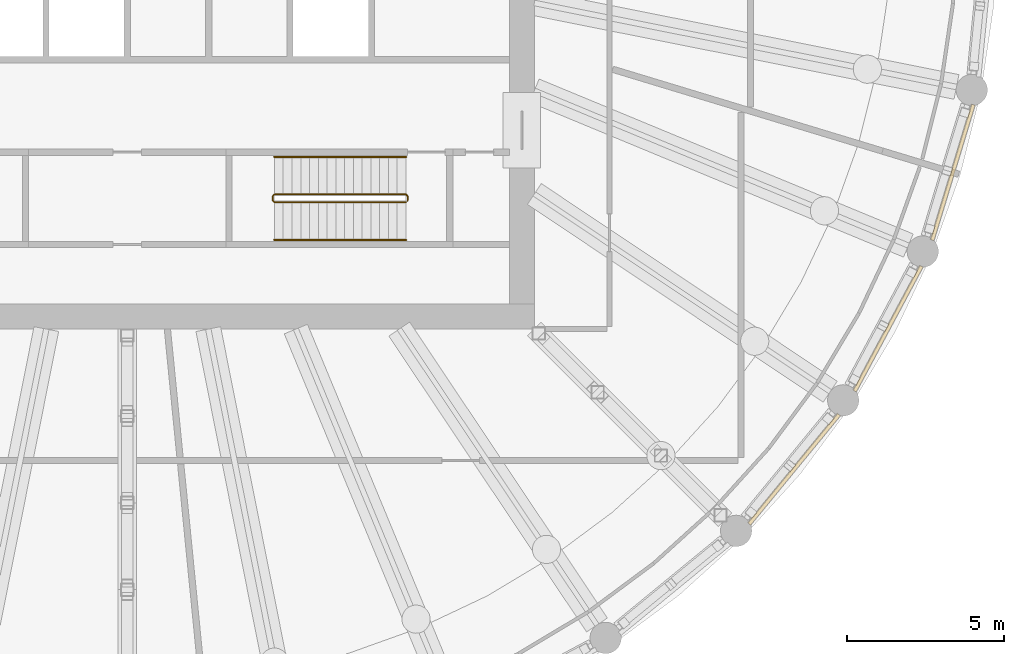
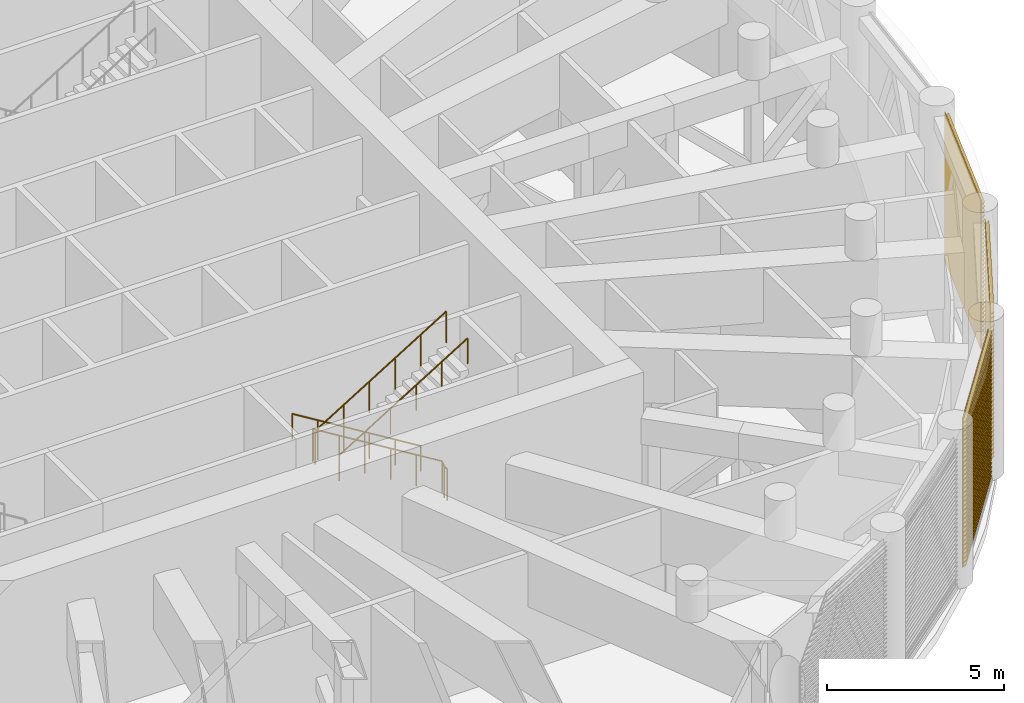
# One storey, part 20 of 24: 3 railings, 3 shading devices, 3 elements without a shape of their own.
"""IFC4 building model written with IfcOpenShell, lengths in metres."""

from ifc_helpers import new_model, si_unit, direction, frame, origin, origin_2d, place, context, subcontext, project, spatial, polyline, circle, outline, extrude, material, material_profile, profile_set, type_object, element, aggregate, save


model = new_model("IFC4")

# Units and contexts
model_context = context("Model", 3, precision=1e-05, world=origin(), true_north=direction((0.0, 1.0)))
body_context = subcontext(model_context, "Body", "Model", "MODEL_VIEW")
ifc_project = project(units=[si_unit("LENGTHUNIT", "METRE"), si_unit("AREAUNIT", "SQUARE_METRE"), si_unit("VOLUMEUNIT", "CUBIC_METRE"), si_unit("PLANEANGLEUNIT", "RADIAN"), si_unit("MASSUNIT", "GRAM", prefix="KILO")], contexts=[model_context])

# Site, building, storey
site_placement = place(None, origin())
site = spatial("IfcSite", under=ifc_project, at=site_placement, CompositionType="ELEMENT")
building_placement = place(site_placement, origin())
building = spatial("IfcBuilding", under=site, at=building_placement, Name="Corvane Civic Tower", CompositionType="ELEMENT")
storey_placement = place(building_placement, frame((0.0, 0.0, 257.5)))
storey = spatial("IfcBuildingStorey", under=building, at=storey_placement, Name="L61", CompositionType="ELEMENT", Elevation=257.5)

# Railings
ifc_material_1 = material(Name="Steel ASTM A572 Gr 50", Category="steel")
railing_type_1 = type_object("IfcRailingType", Name="ST-GUARD-1100", PredefinedType="GUARDRAIL", material=ifc_material_1)
railing_1_placement = place(storey_placement, frame((8.949951171875, -8.89990234375, 0.0)))
element("IfcRailing", 1, at=railing_1_placement, inside=storey, type_object=railing_type_1, Name="L61 ST2 stair guard 1", PredefinedType="GUARDRAIL", context=body_context, shape_type="SweptSolid", body=[
    extrude(circle(Radius=0.02392578125, at=origin_2d()), frame((0.0, 0.0, 1.076171875), z_axis=(0.0, 1.0, 0.0), x_axis=(-1.0, 0.0, 0.0)), (0.0, 0.0, 1.0), 0.14990234375),
    extrude(circle(Radius=0.02392578125, at=origin_2d()), frame((0.0, 0.14990234375, 1.076171875), z_axis=(-0.269255725606, 0.269255725606, 0.92466356501), x_axis=(-0.707106781187, -0.707106781187, 0.0)), (0.0, 0.0, 1.0), 0.185791015625),
    extrude(circle(Radius=0.02392578125, at=origin_2d()), frame((-0.050048828125, 0.199951171875, 1.248046875), z_axis=(-0.852242915053, 0.0, 0.523146264196), x_axis=(0.0, -1.0, 0.0)), (0.0, 0.0, 1.0), 4.92822265625),
    extrude(circle(Radius=0.02392578125, at=origin_2d()), frame((-4.25, 0.199951171875, 3.826171875), z_axis=(-0.707106781187, -0.707106781187, 0.0), x_axis=(0.707106781187, -0.707106781187, 0.0)), (0.0, 0.0, 1.0), 0.07080078125),
    extrude(circle(Radius=0.02392578125, at=origin_2d()), frame((-4.300048828125, 0.14990234375, 3.826171875), z_axis=(0.0, -1.0, 0.0), x_axis=(1.0, 0.0, 0.0)), (0.0, 0.0, 1.0), 0.14990234375),
    extrude(circle(Radius=0.02392578125, at=origin_2d()), frame((-4.300048828125, 0.0, 3.826171875), z_axis=(0.269255725606, -0.269255725606, 0.92466356501), x_axis=(0.707106781187, 0.707106781187, 0.0)), (0.0, 0.0, 1.0), 0.185791015625),
    extrude(circle(Radius=0.02392578125, at=origin_2d()), frame((-4.25, -0.050048828125, 3.998046875), z_axis=(0.852242915053, 0.0, 0.523146264196), x_axis=(0.0, 1.0, 0.0)), (0.0, 0.0, 1.0), 4.92822265625),
    extrude(circle(Radius=0.02099609375, at=origin_2d()), origin(), (0.0, 0.0, 1.0), 1.052001953125),
    extrude(circle(Radius=0.02099609375, at=origin_2d()), frame((0.0, 0.14990234375, 0.0)), (0.0, 0.0, 1.0), 1.052001953125),
    extrude(circle(Radius=0.02099609375, at=origin_2d()), frame((-0.050048828125, 0.199951171875, 0.171875)), (0.0, 0.0, 1.0), 1.052001953125),
    extrude(circle(Radius=0.02099609375, at=origin_2d()), frame((-0.89013671875, 0.199951171875, 0.6875)), (0.0, 0.0, 1.0), 1.052001953125),
    extrude(circle(Radius=0.02099609375, at=origin_2d()), frame((-1.72998046875, 0.199951171875, 1.203125)), (0.0, 0.0, 1.0), 1.052001953125),
    extrude(circle(Radius=0.02099609375, at=origin_2d()), frame((-2.570068359375, 0.199951171875, 1.71875)), (0.0, 0.0, 1.0), 1.052001953125),
    extrude(circle(Radius=0.02099609375, at=origin_2d()), frame((-3.409912109375, 0.199951171875, 2.234375)), (0.0, 0.0, 1.0), 1.052001953125),
    extrude(circle(Radius=0.02099609375, at=origin_2d()), frame((-4.25, 0.199951171875, 2.75)), (0.0, 0.0, 1.0), 1.052001953125),
    extrude(circle(Radius=0.02099609375, at=origin_2d()), frame((-4.300048828125, 0.14990234375, 2.75)), (0.0, 0.0, 1.0), 1.052001953125),
    extrude(circle(Radius=0.02099609375, at=origin_2d()), frame((-4.300048828125, 0.0, 2.75)), (0.0, 0.0, 1.0), 1.052001953125),
    extrude(circle(Radius=0.02099609375, at=origin_2d()), frame((-4.25, -0.050048828125, 2.921875)), (0.0, 0.0, 1.0), 1.052001953125),
    extrude(circle(Radius=0.02099609375, at=origin_2d()), frame((-3.409912109375, -0.050048828125, 3.4375)), (0.0, 0.0, 1.0), 1.052001953125),
    extrude(circle(Radius=0.02099609375, at=origin_2d()), frame((-2.570068359375, -0.050048828125, 3.953125)), (0.0, 0.0, 1.0), 1.052001953125),
    extrude(circle(Radius=0.02099609375, at=origin_2d()), frame((-1.72998046875, -0.050048828125, 4.46875)), (0.0, 0.0, 1.0), 1.052001953125),
    extrude(circle(Radius=0.02099609375, at=origin_2d()), frame((-0.89013671875, -0.050048828125, 4.984375)), (0.0, 0.0, 1.0), 1.052001953125),
    extrude(circle(Radius=0.02099609375, at=origin_2d()), frame((-0.050048828125, -0.050048828125, 5.5)), (0.0, 0.0, 1.0), 1.052001953125),
])
ifc_material_2 = material(Name="Steel ASTM A572 Gr 50", Category="steel")
railing_type_2 = type_object("IfcRailingType", Name="ST-HANDRAIL-900", PredefinedType="HANDRAIL", material=ifc_material_2)
railing_2_placement = place(storey_placement, frame((8.89990234375, -7.5, 0.171875)))
element("IfcRailing", 2, at=railing_2_placement, inside=storey, type_object=railing_type_2, Name="L61 ST2 stair handrail 1", PredefinedType="HANDRAIL", context=body_context, shape_type="SweptSolid", body=[
    extrude(circle(Radius=0.02392578125, at=origin_2d()), frame((0.0, 0.0, 0.8759765625), z_axis=(-0.852242915053, 0.0, 0.523146264196), x_axis=(0.0, -1.0, 0.0)), (0.0, 0.0, 1.0), 4.92822265625),
    extrude(circle(Radius=0.02099609375, at=origin_2d()), origin(), (0.0, 0.0, 1.0), 0.851806640625),
    extrude(circle(Radius=0.02099609375, at=origin_2d()), frame((-0.840087890625, 0.0, 0.515625)), (0.0, 0.0, 1.0), 0.851806640625),
    extrude(circle(Radius=0.02099609375, at=origin_2d()), frame((-1.679931640625, 0.0, 1.03125)), (0.0, 0.0, 1.0), 0.851806640625),
    extrude(circle(Radius=0.02099609375, at=origin_2d()), frame((-2.52001953125, 0.0, 1.546875)), (0.0, 0.0, 1.0), 0.851806640625),
    extrude(circle(Radius=0.02099609375, at=origin_2d()), frame((-3.35986328125, 0.0, 2.0625)), (0.0, 0.0, 1.0), 0.851806640625),
    extrude(circle(Radius=0.02099609375, at=origin_2d()), frame((-4.199951171875, 0.0, 2.578125)), (0.0, 0.0, 1.0), 0.851806640625),
])
railing_3_placement = place(storey_placement, frame((4.699951171875, -10.14990234375, 2.921875)))
element("IfcRailing", 3, at=railing_3_placement, inside=storey, type_object=railing_type_2, Name="L61 ST2 stair handrail 2", PredefinedType="HANDRAIL", context=body_context, shape_type="SweptSolid", body=[
    extrude(circle(Radius=0.02392578125, at=origin_2d()), frame((0.0, 0.0, 0.8759765625), z_axis=(0.852242915053, 0.0, 0.523146264196), x_axis=(0.0, 1.0, 0.0)), (0.0, 0.0, 1.0), 4.92822265625),
    extrude(circle(Radius=0.02099609375, at=origin_2d()), origin(), (0.0, 0.0, 1.0), 0.851806640625),
    extrude(circle(Radius=0.02099609375, at=origin_2d()), frame((0.840087890625, 0.0, 0.515625)), (0.0, 0.0, 1.0), 0.851806640625),
    extrude(circle(Radius=0.02099609375, at=origin_2d()), frame((1.679931640625, 0.0, 1.03125)), (0.0, 0.0, 1.0), 0.851806640625),
    extrude(circle(Radius=0.02099609375, at=origin_2d()), frame((2.52001953125, 0.0, 1.546875)), (0.0, 0.0, 1.0), 0.851806640625),
    extrude(circle(Radius=0.02099609375, at=origin_2d()), frame((3.35986328125, 0.0, 2.0625)), (0.0, 0.0, 1.0), 0.851806640625),
    extrude(circle(Radius=0.02099609375, at=origin_2d()), frame((4.199951171875, 0.0, 2.578125)), (0.0, 0.0, 1.0), 0.851806640625),
])

# Curtain wall, shading device
ifc_material_3 = material(Name="Anodised aluminium bronze", Category="aluminium")
curtain_wall_type = type_object("IfcCurtainWallType", Name="TOWER CW-LV LOUVRE SCREEN WALL", PredefinedType="NOTDEFINED", material=ifc_material_3)
curtain_wall_1_placement = place(storey_placement, origin())
curtain_wall_1 = element("IfcCurtainWall", 4, at=curtain_wall_1_placement, inside=storey, type_object=curtain_wall_type, Name="Louvre screen wall CW-LV L61 bay 10", PredefinedType="NOTDEFINED")
ifc_material_4 = material(Name="Anodised aluminium bronze", Category="aluminium")
ifc_material_profile = material_profile(ifc_material_4, outline(polyline([(-0.06005859375, -2.56494140625), (-0.0400390625, -2.56494140625), (0.06005859375, -2.492919921875), (0.06005859375, -2.472900390625), (-0.0400390625, -2.544921875), (-0.0400390625, -2.4140625), (0.06005859375, -2.342041015625), (0.06005859375, -2.322021484375), (-0.0400390625, -2.39404296875), (-0.0400390625, -2.26318359375), (0.06005859375, -2.191162109375), (0.06005859375, -2.171142578125), (-0.0400390625, -2.2431640625), (-0.0400390625, -2.1123046875), (0.06005859375, -2.040283203125), (0.06005859375, -2.0205078125), (-0.0400390625, -2.09228515625), (-0.0400390625, -1.96142578125), (0.06005859375, -1.889404296875), (0.06005859375, -1.869384765625), (-0.0400390625, -1.94140625), (-0.0400390625, -1.810546875), (0.06005859375, -1.738525390625), (0.06005859375, -1.718505859375), (-0.0400390625, -1.79052734375), (-0.0400390625, -1.65966796875), (0.06005859375, -1.587646484375), (0.06005859375, -1.567626953125), (-0.0400390625, -1.6396484375), (-0.0400390625, -1.5087890625), (0.06005859375, -1.436767578125), (0.06005859375, -1.416748046875), (-0.0400390625, -1.48876953125), (-0.0400390625, -1.35791015625), (0.06005859375, -1.285888671875), (0.06005859375, -1.265869140625), (-0.0400390625, -1.337890625), (-0.0400390625, -1.20703125), (0.06005859375, -1.135009765625), (0.06005859375, -1.114990234375), (-0.0400390625, -1.18701171875), (-0.0400390625, -1.05615234375), (0.06005859375, -0.984130859375), (0.06005859375, -0.964111328125), (-0.0400390625, -1.0361328125), (-0.0400390625, -0.9052734375), (0.06005859375, -0.833251953125), (0.06005859375, -0.813232421875), (-0.0400390625, -0.88525390625), (-0.0400390625, -0.75439453125), (0.06005859375, -0.682373046875), (0.06005859375, -0.662353515625), (-0.0400390625, -0.734375), (-0.0400390625, -0.603515625), (0.06005859375, -0.531494140625), (0.06005859375, -0.511474609375), (-0.0400390625, -0.58349609375), (-0.0400390625, -0.45263671875), (0.06005859375, -0.380615234375), (0.06005859375, -0.360595703125), (-0.0400390625, -0.4326171875), (-0.0400390625, -0.3017578125), (0.06005859375, -0.229736328125), (0.06005859375, -0.209716796875), (-0.0400390625, -0.28173828125), (-0.0400390625, -0.15087890625), (0.06005859375, -0.078857421875), (0.06005859375, -0.058837890625), (-0.0400390625, -0.130859375), (-0.0400390625, 0.0), (0.06005859375, 0.072021484375), (0.06005859375, 0.092041015625), (-0.0400390625, 0.02001953125), (-0.0400390625, 0.15087890625), (0.06005859375, 0.222900390625), (0.06005859375, 0.242919921875), (-0.0400390625, 0.1708984375), (-0.0400390625, 0.3017578125), (0.06005859375, 0.373779296875), (0.06005859375, 0.393798828125), (-0.0400390625, 0.32177734375), (-0.0400390625, 0.45263671875), (0.06005859375, 0.524658203125), (0.06005859375, 0.544677734375), (-0.0400390625, 0.47265625), (-0.0400390625, 0.603515625), (0.06005859375, 0.675537109375), (0.06005859375, 0.695556640625), (-0.0400390625, 0.62353515625), (-0.0400390625, 0.75439453125), (0.06005859375, 0.826416015625), (0.06005859375, 0.846435546875), (-0.0400390625, 0.7744140625), (-0.0400390625, 0.9052734375), (0.06005859375, 0.977294921875), (0.06005859375, 0.997314453125), (-0.0400390625, 0.92529296875), (-0.0400390625, 1.05615234375), (0.06005859375, 1.128173828125), (0.06005859375, 1.148193359375), (-0.0400390625, 1.076171875), (-0.0400390625, 1.20703125), (0.06005859375, 1.279052734375), (0.06005859375, 1.299072265625), (-0.0400390625, 1.22705078125), (-0.0400390625, 1.35791015625), (0.06005859375, 1.429931640625), (0.06005859375, 1.449951171875), (-0.0400390625, 1.3779296875), (-0.0400390625, 1.5087890625), (0.06005859375, 1.580810546875), (0.06005859375, 1.600830078125), (-0.0400390625, 1.52880859375), (-0.0400390625, 1.65966796875), (0.06005859375, 1.731689453125), (0.06005859375, 1.751708984375), (-0.0400390625, 1.6796875), (-0.0400390625, 1.810546875), (0.06005859375, 1.882568359375), (0.06005859375, 1.902587890625), (-0.0400390625, 1.83056640625), (-0.0400390625, 1.96142578125), (0.06005859375, 2.033447265625), (0.06005859375, 2.053466796875), (-0.0400390625, 1.9814453125), (-0.0400390625, 2.1123046875), (0.06005859375, 2.184326171875), (0.06005859375, 2.204345703125), (-0.0400390625, 2.13232421875), (-0.0400390625, 2.26318359375), (0.06005859375, 2.335205078125), (0.06005859375, 2.355224609375), (-0.0400390625, 2.283203125), (-0.0400390625, 2.4140625), (0.06005859375, 2.486083984375), (0.06005859375, 2.506103515625), (-0.0400390625, 2.43408203125), (-0.0400390625, 2.56494140625), (-0.06005859375, 2.56494140625), (-0.06005859375, -2.56494140625)])), Name="TOWER LOUVRE BANK 5130 BRONZE")
ifc_profile_set = profile_set([ifc_material_profile], Name="Anodised aluminium bronze")
shading_device_type = type_object("IfcShadingDeviceType", Name="TOWER LOUVRE BANK 5130 BRONZE", PredefinedType="USERDEFINED", material=ifc_profile_set)
shading_device_1_placement = place(storey_placement, frame((27.016357421875, -5.8349609375, 2.68505859375), z_axis=(-0.2902818869, -0.956941182173, 0.0), x_axis=(0.956941182173, -0.2902818869, 0.0)))
shading_device_1 = element("IfcShadingDevice", 5, at=shading_device_1_placement, type_object=shading_device_type, Name="Louvre bank L61 10.1", ObjectType="LOUVRE", PredefinedType="USERDEFINED", context=body_context, shape_type="SweptSolid", body=[
    extrude(outline(polyline([(-0.06005859375, -2.56494140625), (-0.0400390625, -2.56494140625), (0.06005859375, -2.492919921875), (0.06005859375, -2.472900390625), (-0.0400390625, -2.544921875), (-0.0400390625, -2.4140625), (0.06005859375, -2.342041015625), (0.06005859375, -2.322021484375), (-0.0400390625, -2.39404296875), (-0.0400390625, -2.26318359375), (0.06005859375, -2.191162109375), (0.06005859375, -2.171142578125), (-0.0400390625, -2.2431640625), (-0.0400390625, -2.1123046875), (0.06005859375, -2.040283203125), (0.06005859375, -2.0205078125), (-0.0400390625, -2.09228515625), (-0.0400390625, -1.96142578125), (0.06005859375, -1.889404296875), (0.06005859375, -1.869384765625), (-0.0400390625, -1.94140625), (-0.0400390625, -1.810546875), (0.06005859375, -1.738525390625), (0.06005859375, -1.718505859375), (-0.0400390625, -1.79052734375), (-0.0400390625, -1.65966796875), (0.06005859375, -1.587646484375), (0.06005859375, -1.567626953125), (-0.0400390625, -1.6396484375), (-0.0400390625, -1.5087890625), (0.06005859375, -1.436767578125), (0.06005859375, -1.416748046875), (-0.0400390625, -1.48876953125), (-0.0400390625, -1.35791015625), (0.06005859375, -1.285888671875), (0.06005859375, -1.265869140625), (-0.0400390625, -1.337890625), (-0.0400390625, -1.20703125), (0.06005859375, -1.135009765625), (0.06005859375, -1.114990234375), (-0.0400390625, -1.18701171875), (-0.0400390625, -1.05615234375), (0.06005859375, -0.984130859375), (0.06005859375, -0.964111328125), (-0.0400390625, -1.0361328125), (-0.0400390625, -0.9052734375), (0.06005859375, -0.833251953125), (0.06005859375, -0.813232421875), (-0.0400390625, -0.88525390625), (-0.0400390625, -0.75439453125), (0.06005859375, -0.682373046875), (0.06005859375, -0.662353515625), (-0.0400390625, -0.734375), (-0.0400390625, -0.603515625), (0.06005859375, -0.531494140625), (0.06005859375, -0.511474609375), (-0.0400390625, -0.58349609375), (-0.0400390625, -0.45263671875), (0.06005859375, -0.380615234375), (0.06005859375, -0.360595703125), (-0.0400390625, -0.4326171875), (-0.0400390625, -0.3017578125), (0.06005859375, -0.229736328125), (0.06005859375, -0.209716796875), (-0.0400390625, -0.28173828125), (-0.0400390625, -0.15087890625), (0.06005859375, -0.078857421875), (0.06005859375, -0.058837890625), (-0.0400390625, -0.130859375), (-0.0400390625, 0.0), (0.06005859375, 0.072021484375), (0.06005859375, 0.092041015625), (-0.0400390625, 0.02001953125), (-0.0400390625, 0.15087890625), (0.06005859375, 0.222900390625), (0.06005859375, 0.242919921875), (-0.0400390625, 0.1708984375), (-0.0400390625, 0.3017578125), (0.06005859375, 0.373779296875), (0.06005859375, 0.393798828125), (-0.0400390625, 0.32177734375), (-0.0400390625, 0.45263671875), (0.06005859375, 0.524658203125), (0.06005859375, 0.544677734375), (-0.0400390625, 0.47265625), (-0.0400390625, 0.603515625), (0.06005859375, 0.675537109375), (0.06005859375, 0.695556640625), (-0.0400390625, 0.62353515625), (-0.0400390625, 0.75439453125), (0.06005859375, 0.826416015625), (0.06005859375, 0.846435546875), (-0.0400390625, 0.7744140625), (-0.0400390625, 0.9052734375), (0.06005859375, 0.977294921875), (0.06005859375, 0.997314453125), (-0.0400390625, 0.92529296875), (-0.0400390625, 1.05615234375), (0.06005859375, 1.128173828125), (0.06005859375, 1.148193359375), (-0.0400390625, 1.076171875), (-0.0400390625, 1.20703125), (0.06005859375, 1.279052734375), (0.06005859375, 1.299072265625), (-0.0400390625, 1.22705078125), (-0.0400390625, 1.35791015625), (0.06005859375, 1.429931640625), (0.06005859375, 1.449951171875), (-0.0400390625, 1.3779296875), (-0.0400390625, 1.5087890625), (0.06005859375, 1.580810546875), (0.06005859375, 1.600830078125), (-0.0400390625, 1.52880859375), (-0.0400390625, 1.65966796875), (0.06005859375, 1.731689453125), (0.06005859375, 1.751708984375), (-0.0400390625, 1.6796875), (-0.0400390625, 1.810546875), (0.06005859375, 1.882568359375), (0.06005859375, 1.902587890625), (-0.0400390625, 1.83056640625), (-0.0400390625, 1.96142578125), (0.06005859375, 2.033447265625), (0.06005859375, 2.053466796875), (-0.0400390625, 1.9814453125), (-0.0400390625, 2.1123046875), (0.06005859375, 2.184326171875), (0.06005859375, 2.204345703125), (-0.0400390625, 2.13232421875), (-0.0400390625, 2.26318359375), (0.06005859375, 2.335205078125), (0.06005859375, 2.355224609375), (-0.0400390625, 2.283203125), (-0.0400390625, 2.4140625), (0.06005859375, 2.486083984375), (0.06005859375, 2.506103515625), (-0.0400390625, 2.43408203125), (-0.0400390625, 2.56494140625), (-0.06005859375, 2.56494140625), (-0.06005859375, -2.56494140625)])), origin(), (0.0, 0.0, 1.0), 4.517333984375),
])
aggregate(curtain_wall_1, [shading_device_1])

curtain_wall_2_placement = place(storey_placement, origin())
curtain_wall_2 = element("IfcCurtainWall", 6, at=curtain_wall_2_placement, inside=storey, type_object=curtain_wall_type, Name="Louvre screen wall CW-LV L61 bay 11", PredefinedType="NOTDEFINED")
shading_device_2_placement = place(storey_placement, frame((25.35888671875, -10.993408203125, 2.68505859375), z_axis=(-0.471390317183, -0.881924695689, 0.0), x_axis=(0.881924695689, -0.471390317183, 0.0)))
shading_device_2 = element("IfcShadingDevice", 7, at=shading_device_2_placement, type_object=shading_device_type, Name="Louvre bank L61 11.1", ObjectType="LOUVRE", PredefinedType="USERDEFINED", context=body_context, shape_type="SweptSolid", body=[
    extrude(outline(polyline([(-0.06005859375, -2.56494140625), (-0.0400390625, -2.56494140625), (0.06005859375, -2.492919921875), (0.06005859375, -2.472900390625), (-0.0400390625, -2.544921875), (-0.0400390625, -2.4140625), (0.06005859375, -2.342041015625), (0.06005859375, -2.322021484375), (-0.0400390625, -2.39404296875), (-0.0400390625, -2.26318359375), (0.06005859375, -2.191162109375), (0.06005859375, -2.171142578125), (-0.0400390625, -2.2431640625), (-0.0400390625, -2.1123046875), (0.06005859375, -2.040283203125), (0.06005859375, -2.0205078125), (-0.0400390625, -2.09228515625), (-0.0400390625, -1.96142578125), (0.06005859375, -1.889404296875), (0.06005859375, -1.869384765625), (-0.0400390625, -1.94140625), (-0.0400390625, -1.810546875), (0.06005859375, -1.738525390625), (0.06005859375, -1.718505859375), (-0.0400390625, -1.79052734375), (-0.0400390625, -1.65966796875), (0.06005859375, -1.587646484375), (0.06005859375, -1.567626953125), (-0.0400390625, -1.6396484375), (-0.0400390625, -1.5087890625), (0.06005859375, -1.436767578125), (0.06005859375, -1.416748046875), (-0.0400390625, -1.48876953125), (-0.0400390625, -1.35791015625), (0.06005859375, -1.285888671875), (0.06005859375, -1.265869140625), (-0.0400390625, -1.337890625), (-0.0400390625, -1.20703125), (0.06005859375, -1.135009765625), (0.06005859375, -1.114990234375), (-0.0400390625, -1.18701171875), (-0.0400390625, -1.05615234375), (0.06005859375, -0.984130859375), (0.06005859375, -0.964111328125), (-0.0400390625, -1.0361328125), (-0.0400390625, -0.9052734375), (0.06005859375, -0.833251953125), (0.06005859375, -0.813232421875), (-0.0400390625, -0.88525390625), (-0.0400390625, -0.75439453125), (0.06005859375, -0.682373046875), (0.06005859375, -0.662353515625), (-0.0400390625, -0.734375), (-0.0400390625, -0.603515625), (0.06005859375, -0.531494140625), (0.06005859375, -0.511474609375), (-0.0400390625, -0.58349609375), (-0.0400390625, -0.45263671875), (0.06005859375, -0.380615234375), (0.06005859375, -0.360595703125), (-0.0400390625, -0.4326171875), (-0.0400390625, -0.3017578125), (0.06005859375, -0.229736328125), (0.06005859375, -0.209716796875), (-0.0400390625, -0.28173828125), (-0.0400390625, -0.15087890625), (0.06005859375, -0.078857421875), (0.06005859375, -0.058837890625), (-0.0400390625, -0.130859375), (-0.0400390625, 0.0), (0.06005859375, 0.072021484375), (0.06005859375, 0.092041015625), (-0.0400390625, 0.02001953125), (-0.0400390625, 0.15087890625), (0.06005859375, 0.222900390625), (0.06005859375, 0.242919921875), (-0.0400390625, 0.1708984375), (-0.0400390625, 0.3017578125), (0.06005859375, 0.373779296875), (0.06005859375, 0.393798828125), (-0.0400390625, 0.32177734375), (-0.0400390625, 0.45263671875), (0.06005859375, 0.524658203125), (0.06005859375, 0.544677734375), (-0.0400390625, 0.47265625), (-0.0400390625, 0.603515625), (0.06005859375, 0.675537109375), (0.06005859375, 0.695556640625), (-0.0400390625, 0.62353515625), (-0.0400390625, 0.75439453125), (0.06005859375, 0.826416015625), (0.06005859375, 0.846435546875), (-0.0400390625, 0.7744140625), (-0.0400390625, 0.9052734375), (0.06005859375, 0.977294921875), (0.06005859375, 0.997314453125), (-0.0400390625, 0.92529296875), (-0.0400390625, 1.05615234375), (0.06005859375, 1.128173828125), (0.06005859375, 1.148193359375), (-0.0400390625, 1.076171875), (-0.0400390625, 1.20703125), (0.06005859375, 1.279052734375), (0.06005859375, 1.299072265625), (-0.0400390625, 1.22705078125), (-0.0400390625, 1.35791015625), (0.06005859375, 1.429931640625), (0.06005859375, 1.449951171875), (-0.0400390625, 1.3779296875), (-0.0400390625, 1.5087890625), (0.06005859375, 1.580810546875), (0.06005859375, 1.600830078125), (-0.0400390625, 1.52880859375), (-0.0400390625, 1.65966796875), (0.06005859375, 1.731689453125), (0.06005859375, 1.751708984375), (-0.0400390625, 1.6796875), (-0.0400390625, 1.810546875), (0.06005859375, 1.882568359375), (0.06005859375, 1.902587890625), (-0.0400390625, 1.83056640625), (-0.0400390625, 1.96142578125), (0.06005859375, 2.033447265625), (0.06005859375, 2.053466796875), (-0.0400390625, 1.9814453125), (-0.0400390625, 2.1123046875), (0.06005859375, 2.184326171875), (0.06005859375, 2.204345703125), (-0.0400390625, 2.13232421875), (-0.0400390625, 2.26318359375), (0.06005859375, 2.335205078125), (0.06005859375, 2.355224609375), (-0.0400390625, 2.283203125), (-0.0400390625, 2.4140625), (0.06005859375, 2.486083984375), (0.06005859375, 2.506103515625), (-0.0400390625, 2.43408203125), (-0.0400390625, 2.56494140625), (-0.06005859375, 2.56494140625), (-0.06005859375, -2.56494140625)])), origin(), (0.0, 0.0, 1.0), 4.517333984375),
])
aggregate(curtain_wall_2, [shading_device_2])

curtain_wall_3_placement = place(storey_placement, origin())
curtain_wall_3 = element("IfcCurtainWall", 8, at=curtain_wall_3_placement, inside=storey, type_object=curtain_wall_type, Name="Louvre screen wall CW-LV L61 bay 12", PredefinedType="NOTDEFINED")
shading_device_3_placement = place(storey_placement, frame((22.726806640625, -15.7294921875, 2.68505859375), z_axis=(-0.634387834569, -0.773014925698, 0.0), x_axis=(0.773014925698, -0.634387834569, 0.0)))
shading_device_3 = element("IfcShadingDevice", 9, at=shading_device_3_placement, type_object=shading_device_type, Name="Louvre bank L61 12.1", ObjectType="LOUVRE", PredefinedType="USERDEFINED", context=body_context, shape_type="SweptSolid", body=[
    extrude(outline(polyline([(-0.06005859375, -2.56494140625), (-0.0400390625, -2.56494140625), (0.06005859375, -2.492919921875), (0.06005859375, -2.472900390625), (-0.0400390625, -2.544921875), (-0.0400390625, -2.4140625), (0.06005859375, -2.342041015625), (0.06005859375, -2.322021484375), (-0.0400390625, -2.39404296875), (-0.0400390625, -2.26318359375), (0.06005859375, -2.191162109375), (0.06005859375, -2.171142578125), (-0.0400390625, -2.2431640625), (-0.0400390625, -2.1123046875), (0.06005859375, -2.040283203125), (0.06005859375, -2.0205078125), (-0.0400390625, -2.09228515625), (-0.0400390625, -1.96142578125), (0.06005859375, -1.889404296875), (0.06005859375, -1.869384765625), (-0.0400390625, -1.94140625), (-0.0400390625, -1.810546875), (0.06005859375, -1.738525390625), (0.06005859375, -1.718505859375), (-0.0400390625, -1.79052734375), (-0.0400390625, -1.65966796875), (0.06005859375, -1.587646484375), (0.06005859375, -1.567626953125), (-0.0400390625, -1.6396484375), (-0.0400390625, -1.5087890625), (0.06005859375, -1.436767578125), (0.06005859375, -1.416748046875), (-0.0400390625, -1.48876953125), (-0.0400390625, -1.35791015625), (0.06005859375, -1.285888671875), (0.06005859375, -1.265869140625), (-0.0400390625, -1.337890625), (-0.0400390625, -1.20703125), (0.06005859375, -1.135009765625), (0.06005859375, -1.114990234375), (-0.0400390625, -1.18701171875), (-0.0400390625, -1.05615234375), (0.06005859375, -0.984130859375), (0.06005859375, -0.964111328125), (-0.0400390625, -1.0361328125), (-0.0400390625, -0.9052734375), (0.06005859375, -0.833251953125), (0.06005859375, -0.813232421875), (-0.0400390625, -0.88525390625), (-0.0400390625, -0.75439453125), (0.06005859375, -0.682373046875), (0.06005859375, -0.662353515625), (-0.0400390625, -0.734375), (-0.0400390625, -0.603515625), (0.06005859375, -0.531494140625), (0.06005859375, -0.511474609375), (-0.0400390625, -0.58349609375), (-0.0400390625, -0.45263671875), (0.06005859375, -0.380615234375), (0.06005859375, -0.360595703125), (-0.0400390625, -0.4326171875), (-0.0400390625, -0.3017578125), (0.06005859375, -0.229736328125), (0.06005859375, -0.209716796875), (-0.0400390625, -0.28173828125), (-0.0400390625, -0.15087890625), (0.06005859375, -0.078857421875), (0.06005859375, -0.058837890625), (-0.0400390625, -0.130859375), (-0.0400390625, 0.0), (0.06005859375, 0.072021484375), (0.06005859375, 0.092041015625), (-0.0400390625, 0.02001953125), (-0.0400390625, 0.15087890625), (0.06005859375, 0.222900390625), (0.06005859375, 0.242919921875), (-0.0400390625, 0.1708984375), (-0.0400390625, 0.3017578125), (0.06005859375, 0.373779296875), (0.06005859375, 0.393798828125), (-0.0400390625, 0.32177734375), (-0.0400390625, 0.45263671875), (0.06005859375, 0.524658203125), (0.06005859375, 0.544677734375), (-0.0400390625, 0.47265625), (-0.0400390625, 0.603515625), (0.06005859375, 0.675537109375), (0.06005859375, 0.695556640625), (-0.0400390625, 0.62353515625), (-0.0400390625, 0.75439453125), (0.06005859375, 0.826416015625), (0.06005859375, 0.846435546875), (-0.0400390625, 0.7744140625), (-0.0400390625, 0.9052734375), (0.06005859375, 0.977294921875), (0.06005859375, 0.997314453125), (-0.0400390625, 0.92529296875), (-0.0400390625, 1.05615234375), (0.06005859375, 1.128173828125), (0.06005859375, 1.148193359375), (-0.0400390625, 1.076171875), (-0.0400390625, 1.20703125), (0.06005859375, 1.279052734375), (0.06005859375, 1.299072265625), (-0.0400390625, 1.22705078125), (-0.0400390625, 1.35791015625), (0.06005859375, 1.429931640625), (0.06005859375, 1.449951171875), (-0.0400390625, 1.3779296875), (-0.0400390625, 1.5087890625), (0.06005859375, 1.580810546875), (0.06005859375, 1.600830078125), (-0.0400390625, 1.52880859375), (-0.0400390625, 1.65966796875), (0.06005859375, 1.731689453125), (0.06005859375, 1.751708984375), (-0.0400390625, 1.6796875), (-0.0400390625, 1.810546875), (0.06005859375, 1.882568359375), (0.06005859375, 1.902587890625), (-0.0400390625, 1.83056640625), (-0.0400390625, 1.96142578125), (0.06005859375, 2.033447265625), (0.06005859375, 2.053466796875), (-0.0400390625, 1.9814453125), (-0.0400390625, 2.1123046875), (0.06005859375, 2.184326171875), (0.06005859375, 2.204345703125), (-0.0400390625, 2.13232421875), (-0.0400390625, 2.26318359375), (0.06005859375, 2.335205078125), (0.06005859375, 2.355224609375), (-0.0400390625, 2.283203125), (-0.0400390625, 2.4140625), (0.06005859375, 2.486083984375), (0.06005859375, 2.506103515625), (-0.0400390625, 2.43408203125), (-0.0400390625, 2.56494140625), (-0.06005859375, 2.56494140625), (-0.06005859375, -2.56494140625)])), origin(), (0.0, 0.0, 1.0), 4.517333984375),
])
aggregate(curtain_wall_3, [shading_device_3])

save(model, "model.ifc")
